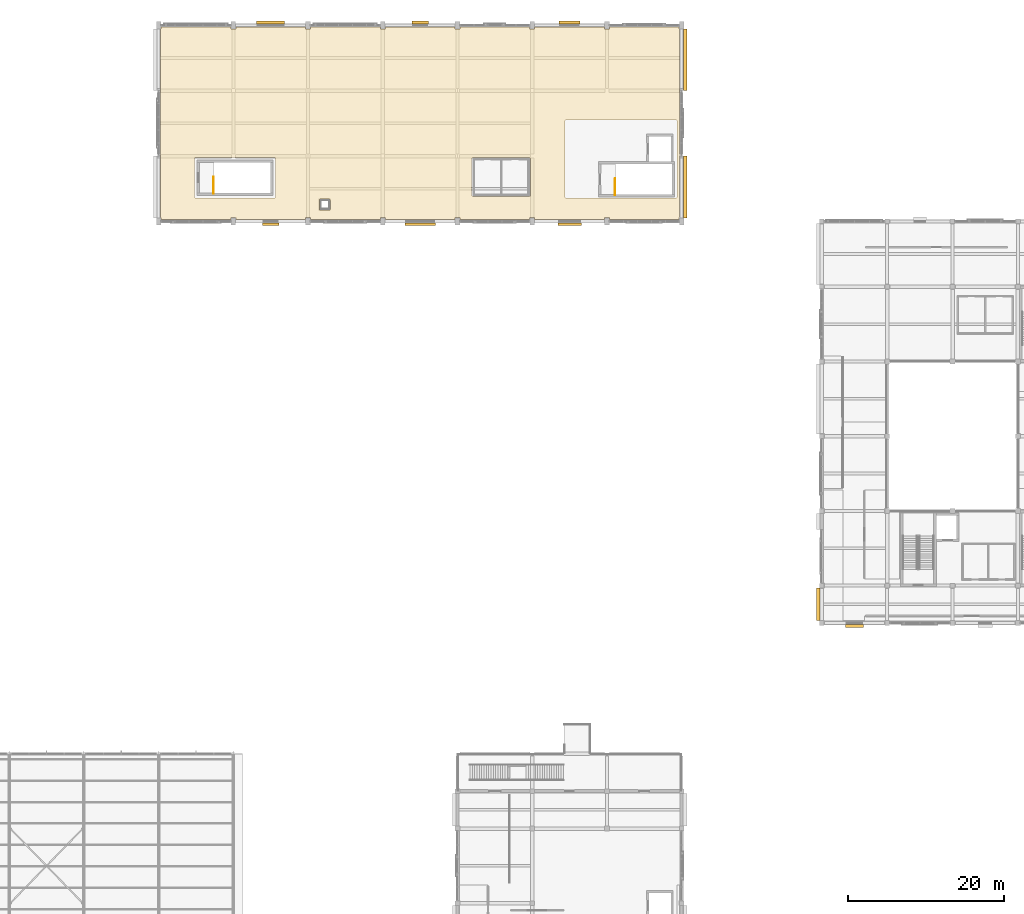
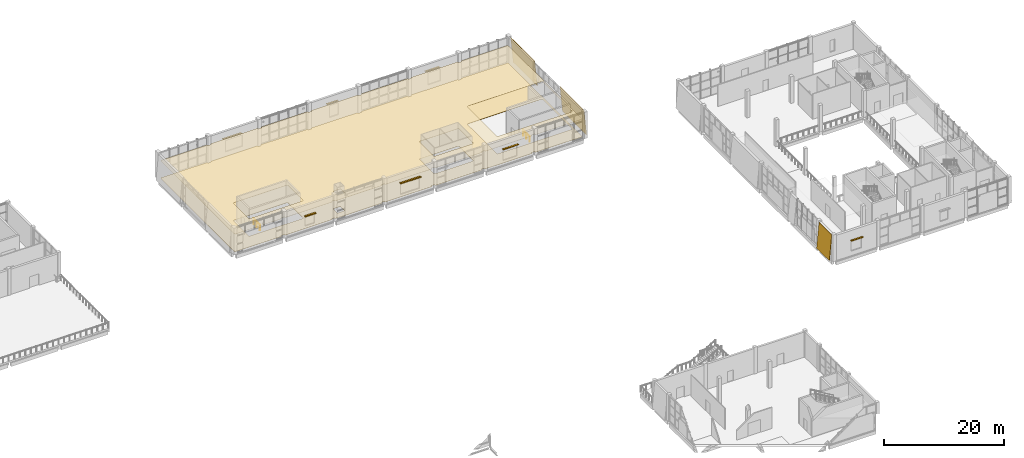
# One storey, part 54 of 57: 7 shading devices, 5 coverings, 2 railings.
"""IFC4 building model written with IfcOpenShell, lengths in metres."""

from ifc_helpers import new_model, si_unit, direction, frame, origin, origin_2d, place, context, subcontext, project, spatial, polyline, rectangle, circle, outline, extrude, material, layer, layer_set, type_object, element, save


model = new_model("IFC4")

# Units and contexts
model_context = context("Model", 3, precision=1e-05, world=origin(), true_north=direction((0.0, 1.0)))
body_context = subcontext(model_context, "Body", "Model", "MODEL_VIEW")
ifc_project = project(units=[si_unit("LENGTHUNIT", "METRE"), si_unit("AREAUNIT", "SQUARE_METRE"), si_unit("VOLUMEUNIT", "CUBIC_METRE"), si_unit("PLANEANGLEUNIT", "RADIAN"), si_unit("MASSUNIT", "GRAM", prefix="KILO")], contexts=[model_context])

# Site, building, storey
site_placement = place(None, origin())
site = spatial("IfcSite", under=ifc_project, at=site_placement, CompositionType="ELEMENT")
building_placement = place(site_placement, origin())
building = spatial("IfcBuilding", under=site, at=building_placement, Name="Shalvenor Court Art Gallery", CompositionType="ELEMENT")
storey_placement = place(building_placement, frame((0.0, 0.0, 16.800048828125)))
storey = spatial("IfcBuildingStorey", under=building, at=storey_placement, Name="L03", CompositionType="ELEMENT", Elevation=16.800048828125)

# Coverings
ifc_material_1 = material(Name="Pale Mediterranean limestone cladding", Category="masonry")
ifc_layer_1 = layer(ifc_material_1, 0.080078125, Name="Pale Mediterranean limestone cladding")
ifc_layer_set_1 = layer_set([ifc_layer_1], Name="Pale Mediterranean limestone cladding")
covering_type_1 = type_object("IfcCoveringType", Name="CLD-01", PredefinedType="CLADDING", material=ifc_layer_set_1)
covering_1_placement = place(storey_placement, frame((142.10595703125, 50.10009765625, 0.0), z_axis=(0.0, 0.0, 1.0), x_axis=(0.0, -1.0, 0.0)))
element("IfcCovering", 1, at=covering_1_placement, inside=storey, type_object=covering_type_1, Name="L03 V1 Tapered Limestone Cladding 17", PredefinedType="CLADDING", context=body_context, shape_type="SweptSolid", body=[
    extrude(outline(polyline([(0.0, 0.0), (4.2001953125, 0.0), (4.2001953125, 5.120849609375), (0.0, 5.120849609375), (0.0, 0.0)])), frame((0.0, 0.0, 0.0), z_axis=(0.0, -0.995884398616, 0.090632580198), x_axis=(1.0, 0.0, 0.0)), (0.0, 0.090632580198, -0.995884398616), 0.080322265625),
])
covering_2_placement = place(storey_placement, frame((125.47412109375, 114.0, 0.0), z_axis=(0.0, 0.0, 1.0), x_axis=(0.0, 1.0, 0.0)))
element("IfcCovering", 2, at=covering_2_placement, inside=storey, type_object=covering_type_1, Name="L03 V2 Tapered Limestone Cladding 37", PredefinedType="CLADDING", context=body_context, shape_type="SweptSolid", body=[
    extrude(outline(polyline([(0.0, 0.0), (7.949951171875, 0.0), (7.949951171875, 5.120849609375), (0.0, 5.120849609375), (0.0, 0.0)])), frame((0.0, 0.0, 0.0), z_axis=(0.0, -0.995884398616, 0.090632580198), x_axis=(1.0, 0.0, 0.0)), (0.0, 0.090632580198, -0.995884398616), 0.080322265625),
])
covering_3_placement = place(storey_placement, frame((125.47412109375, 97.64990234375, 0.0), z_axis=(0.0, 0.0, 1.0), x_axis=(0.0, 1.0, 0.0)))
element("IfcCovering", 3, at=covering_3_placement, inside=storey, type_object=covering_type_1, Name="L03 V2 Tapered Limestone Cladding 38", PredefinedType="CLADDING", context=body_context, shape_type="SweptSolid", body=[
    extrude(outline(polyline([(0.0, 0.0), (7.9501953125, 0.0), (7.9501953125, 5.120849609375), (0.0, 5.120849609375), (0.0, 0.0)])), frame((0.0, 0.0, 0.0), z_axis=(0.0, -0.995884398616, 0.090632580198), x_axis=(1.0, 0.0, 0.0)), (0.0, 0.090632580198, -0.995884398616), 0.080322265625),
])
ifc_material_2 = material(Name="Perforated acoustic gypsum gallery ceiling", Category="other")
ifc_layer_2 = layer(ifc_material_2, 0.044921875, Name="Perforated acoustic gypsum gallery ceiling")
ifc_layer_set_2 = layer_set([ifc_layer_2], Name="Perforated acoustic gypsum gallery ceiling")
covering_type_2 = type_object("IfcCoveringType", Name="CLG-01", PredefinedType="CEILING", material=ifc_layer_set_2)
covering_4_placement = place(storey_placement, frame((0.0, 0.0, 3.550048828125)))
element("IfcCovering", 4, at=covering_4_placement, inside=storey, type_object=covering_type_2, Name="L03 North Light Painting Gallery Acoustic Ceiling", PredefinedType="CEILING", context=body_context, shape_type="SweptSolid", body=[
    extrude(outline(polyline([(66.8798828125, 122.14990234375), (66.8798828125, 121.929931640625), (67.52001953125, 121.929931640625), (67.52001953125, 122.14990234375), (76.47998046875, 122.14990234375), (76.47998046875, 121.929931640625), (77.1201171875, 121.929931640625), (77.1201171875, 122.14990234375), (86.080078125, 122.14990234375), (86.080078125, 121.929931640625), (86.719970703125, 121.929931640625), (86.719970703125, 122.14990234375), (95.679931640625, 122.14990234375), (95.679931640625, 121.929931640625), (96.320068359375, 121.929931640625), (96.320068359375, 122.14990234375), (105.280029296875, 122.14990234375), (105.280029296875, 121.929931640625), (105.919921875, 121.929931640625), (105.919921875, 122.14990234375), (114.8798828125, 122.14990234375), (114.8798828125, 121.929931640625), (115.52001953125, 121.929931640625), (115.52001953125, 122.14990234375), (124.47998046875, 122.14990234375), (124.47998046875, 121.929931640625), (124.550048828125, 121.929931640625), (124.550048828125, 97.669921875), (124.47998046875, 97.669921875), (124.47998046875, 97.449951171875), (115.52001953125, 97.449951171875), (115.52001953125, 97.669921875), (114.8798828125, 97.669921875), (114.8798828125, 97.449951171875), (105.919921875, 97.449951171875), (105.919921875, 97.669921875), (105.280029296875, 97.669921875), (105.280029296875, 97.449951171875), (96.320068359375, 97.449951171875), (96.320068359375, 97.669921875), (95.679931640625, 97.669921875), (95.679931640625, 97.449951171875), (86.719970703125, 97.449951171875), (86.719970703125, 97.669921875), (86.080078125, 97.669921875), (86.080078125, 97.449951171875), (77.1201171875, 97.449951171875), (77.1201171875, 97.669921875), (76.47998046875, 97.669921875), (76.47998046875, 97.449951171875), (67.52001953125, 97.449951171875), (67.52001953125, 97.669921875), (66.8798828125, 97.669921875), (66.8798828125, 97.449951171875), (57.919921875, 97.449951171875), (57.919921875, 97.669921875), (57.85009765625, 97.669921875), (57.85009765625, 121.929931640625), (57.919921875, 121.929931640625), (57.919921875, 122.14990234375), (66.8798828125, 122.14990234375)]), holes=[polyline([(78.39990234375, 98.64990234375), (79.5, 98.64990234375), (79.5146484375, 98.650634765625), (79.529296875, 98.65283203125), (79.54345703125, 98.656494140625), (79.557373046875, 98.661376953125), (79.57080078125, 98.667724609375), (79.583251953125, 98.67529296875), (79.59521484375, 98.68408203125), (79.606201171875, 98.69384765625), (79.615966796875, 98.704833984375), (79.624755859375, 98.716796875), (79.63232421875, 98.729248046875), (79.638671875, 98.74267578125), (79.6435546875, 98.756591796875), (79.647216796875, 98.770751953125), (79.6494140625, 98.785400390625), (79.64990234375, 98.800048828125), (79.64990234375, 99.89990234375), (79.6494140625, 99.914794921875), (79.647216796875, 99.92919921875), (79.6435546875, 99.943603515625), (79.638671875, 99.95751953125), (79.63232421875, 99.970703125), (79.624755859375, 99.9833984375), (79.615966796875, 99.9951171875), (79.606201171875, 100.006103515625), (79.59521484375, 100.01611328125), (79.583251953125, 100.024658203125), (79.57080078125, 100.0322265625), (79.557373046875, 100.03857421875), (79.54345703125, 100.04345703125), (79.529296875, 100.047119140625), (79.5146484375, 100.04931640625), (79.5, 100.050048828125), (78.39990234375, 100.050048828125), (78.38525390625, 100.04931640625), (78.37060546875, 100.047119140625), (78.3564453125, 100.04345703125), (78.342529296875, 100.03857421875), (78.329345703125, 100.0322265625), (78.316650390625, 100.024658203125), (78.3046875, 100.01611328125), (78.2939453125, 100.006103515625), (78.283935546875, 99.9951171875), (78.275390625, 99.9833984375), (78.267578125, 99.970703125), (78.261474609375, 99.95751953125), (78.256591796875, 99.943603515625), (78.2529296875, 99.92919921875), (78.250732421875, 99.914794921875), (78.25, 99.89990234375), (78.25, 98.800048828125), (78.250732421875, 98.785400390625), (78.2529296875, 98.770751953125), (78.256591796875, 98.756591796875), (78.261474609375, 98.74267578125), (78.267578125, 98.729248046875), (78.275390625, 98.716796875), (78.283935546875, 98.704833984375), (78.2939453125, 98.69384765625), (78.3046875, 98.68408203125), (78.316650390625, 98.67529296875), (78.329345703125, 98.667724609375), (78.342529296875, 98.661376953125), (78.3564453125, 98.656494140625), (78.37060546875, 98.65283203125), (78.38525390625, 98.650634765625), (78.39990234375, 98.64990234375)]), polyline([(72.39990234375, 100.179931640625), (72.421630859375, 100.18115234375), (72.44287109375, 100.18408203125), (72.4638671875, 100.189453125), (72.484130859375, 100.19677734375), (72.503662109375, 100.2060546875), (72.522216796875, 100.217041015625), (72.53955078125, 100.22998046875), (72.5556640625, 100.244384765625), (72.570068359375, 100.260498046875), (72.5830078125, 100.27783203125), (72.593994140625, 100.29638671875), (72.603271484375, 100.31591796875), (72.610595703125, 100.336181640625), (72.61572265625, 100.357177734375), (72.618896484375, 100.37841796875), (72.6201171875, 100.39990234375), (72.6201171875, 105.199951171875), (72.618896484375, 105.2216796875), (72.61572265625, 105.242919921875), (72.610595703125, 105.263916015625), (72.603271484375, 105.2841796875), (72.593994140625, 105.3037109375), (72.5830078125, 105.322265625), (72.570068359375, 105.339599609375), (72.5556640625, 105.355712890625), (72.53955078125, 105.3701171875), (72.522216796875, 105.3828125), (72.503662109375, 105.39404296875), (72.484130859375, 105.4033203125), (72.4638671875, 105.410400390625), (72.44287109375, 105.415771484375), (72.421630859375, 105.4189453125), (72.39990234375, 105.419921875), (62.39990234375, 105.419921875), (62.37841796875, 105.4189453125), (62.357177734375, 105.415771484375), (62.336181640625, 105.410400390625), (62.31591796875, 105.4033203125), (62.29638671875, 105.39404296875), (62.27783203125, 105.3828125), (62.260498046875, 105.3701171875), (62.244384765625, 105.355712890625), (62.22998046875, 105.339599609375), (62.217041015625, 105.322265625), (62.2060546875, 105.3037109375), (62.19677734375, 105.2841796875), (62.189453125, 105.263916015625), (62.18408203125, 105.242919921875), (62.18115234375, 105.2216796875), (62.179931640625, 105.199951171875), (62.179931640625, 100.39990234375), (62.18115234375, 100.37841796875), (62.18408203125, 100.357177734375), (62.189453125, 100.336181640625), (62.19677734375, 100.31591796875), (62.2060546875, 100.29638671875), (62.217041015625, 100.27783203125), (62.22998046875, 100.260498046875), (62.244384765625, 100.244384765625), (62.260498046875, 100.22998046875), (62.27783203125, 100.217041015625), (62.29638671875, 100.2060546875), (62.31591796875, 100.19677734375), (62.336181640625, 100.189453125), (62.357177734375, 100.18408203125), (62.37841796875, 100.18115234375), (62.39990234375, 100.179931640625), (72.39990234375, 100.179931640625)]), polyline([(98.0, 100.419921875), (105.199951171875, 100.419921875), (105.217529296875, 100.4208984375), (105.235107421875, 100.423583984375), (105.252197265625, 100.427734375), (105.268798828125, 100.43359375), (105.284912109375, 100.44140625), (105.300048828125, 100.4501953125), (105.314208984375, 100.4609375), (105.327392578125, 100.47265625), (105.339111328125, 100.48583984375), (105.349609375, 100.5), (105.358642578125, 100.51513671875), (105.3662109375, 100.531005859375), (105.372314453125, 100.547607421875), (105.37646484375, 100.56494140625), (105.379150390625, 100.58251953125), (105.3798828125, 100.60009765625), (105.3798828125, 105.199951171875), (105.379150390625, 105.217529296875), (105.37646484375, 105.235107421875), (105.372314453125, 105.252197265625), (105.3662109375, 105.268798828125), (105.358642578125, 105.284912109375), (105.349609375, 105.300048828125), (105.339111328125, 105.314208984375), (105.327392578125, 105.327392578125), (105.314208984375, 105.339111328125), (105.300048828125, 105.349609375), (105.284912109375, 105.358642578125), (105.268798828125, 105.3662109375), (105.252197265625, 105.372314453125), (105.235107421875, 105.37646484375), (105.217529296875, 105.379150390625), (105.199951171875, 105.3798828125), (98.0, 105.3798828125), (97.982421875, 105.379150390625), (97.96484375, 105.37646484375), (97.94775390625, 105.372314453125), (97.93115234375, 105.3662109375), (97.9150390625, 105.358642578125), (97.89990234375, 105.349609375), (97.8857421875, 105.339111328125), (97.872802734375, 105.327392578125), (97.86083984375, 105.314208984375), (97.850341796875, 105.300048828125), (97.84130859375, 105.284912109375), (97.833740234375, 105.268798828125), (97.827880859375, 105.252197265625), (97.823486328125, 105.235107421875), (97.82080078125, 105.217529296875), (97.820068359375, 105.199951171875), (97.820068359375, 100.60009765625), (97.82080078125, 100.58251953125), (97.823486328125, 100.56494140625), (97.827880859375, 100.547607421875), (97.833740234375, 100.531005859375), (97.84130859375, 100.51513671875), (97.850341796875, 100.5), (97.86083984375, 100.48583984375), (97.872802734375, 100.47265625), (97.8857421875, 100.4609375), (97.89990234375, 100.4501953125), (97.9150390625, 100.44140625), (97.93115234375, 100.43359375), (97.94775390625, 100.427734375), (97.96484375, 100.423583984375), (97.982421875, 100.4208984375), (98.0, 100.419921875)]), polyline([(110.0, 100.179931640625), (124.0, 100.179931640625), (124.021484375, 100.18115234375), (124.04296875, 100.18408203125), (124.06396484375, 100.189453125), (124.084228515625, 100.19677734375), (124.103759765625, 100.2060546875), (124.122314453125, 100.217041015625), (124.1396484375, 100.22998046875), (124.155517578125, 100.244384765625), (124.170166015625, 100.260498046875), (124.182861328125, 100.27783203125), (124.194091796875, 100.29638671875), (124.203369140625, 100.31591796875), (124.21044921875, 100.336181640625), (124.2158203125, 100.357177734375), (124.218994140625, 100.37841796875), (124.219970703125, 100.39990234375), (124.219970703125, 110.0), (124.218994140625, 110.021484375), (124.2158203125, 110.04296875), (124.21044921875, 110.06396484375), (124.203369140625, 110.084228515625), (124.194091796875, 110.103759765625), (124.182861328125, 110.122314453125), (124.170166015625, 110.1396484375), (124.155517578125, 110.155517578125), (124.1396484375, 110.170166015625), (124.122314453125, 110.182861328125), (124.103759765625, 110.194091796875), (124.084228515625, 110.203369140625), (124.06396484375, 110.21044921875), (124.04296875, 110.2158203125), (124.021484375, 110.218994140625), (124.0, 110.219970703125), (110.0, 110.219970703125), (109.978515625, 110.218994140625), (109.95703125, 110.2158203125), (109.93603515625, 110.21044921875), (109.915771484375, 110.203369140625), (109.896240234375, 110.194091796875), (109.877685546875, 110.182861328125), (109.8603515625, 110.170166015625), (109.844482421875, 110.155517578125), (109.829833984375, 110.1396484375), (109.817138671875, 110.122314453125), (109.805908203125, 110.103759765625), (109.796630859375, 110.084228515625), (109.78955078125, 110.06396484375), (109.7841796875, 110.04296875), (109.781005859375, 110.021484375), (109.780029296875, 110.0), (109.780029296875, 100.39990234375), (109.781005859375, 100.37841796875), (109.7841796875, 100.357177734375), (109.78955078125, 100.336181640625), (109.796630859375, 100.31591796875), (109.805908203125, 100.29638671875), (109.817138671875, 100.27783203125), (109.829833984375, 100.260498046875), (109.844482421875, 100.244384765625), (109.8603515625, 100.22998046875), (109.877685546875, 100.217041015625), (109.896240234375, 100.2060546875), (109.915771484375, 100.19677734375), (109.93603515625, 100.189453125), (109.95703125, 100.18408203125), (109.978515625, 100.18115234375), (110.0, 100.179931640625)])]), origin(), (0.0, 0.0, 1.0), 0.044921875),
])
ifc_material_3 = material(Name="Quarter-sawn white oak gallery flooring", Category="wood")
ifc_layer_3 = layer(ifc_material_3, 0.031982421875, Name="Quarter-sawn white oak gallery flooring")
ifc_layer_set_3 = layer_set([ifc_layer_3], Name="Quarter-sawn white oak gallery flooring")
covering_type_3 = type_object("IfcCoveringType", Name="FLR-02", PredefinedType="FLOORING", material=ifc_layer_set_3)
covering_5_placement = place(storey_placement, origin())
element("IfcCovering", 5, at=covering_5_placement, inside=storey, type_object=covering_type_3, Name="L03 North Light Painting Gallery Flooring", PredefinedType="FLOORING", context=body_context, shape_type="SweptSolid", body=[
    extrude(outline(polyline([(66.8798828125, 122.14990234375), (66.8798828125, 121.929931640625), (67.52001953125, 121.929931640625), (67.52001953125, 122.14990234375), (76.47998046875, 122.14990234375), (76.47998046875, 121.929931640625), (77.1201171875, 121.929931640625), (77.1201171875, 122.14990234375), (86.080078125, 122.14990234375), (86.080078125, 121.929931640625), (86.719970703125, 121.929931640625), (86.719970703125, 122.14990234375), (95.679931640625, 122.14990234375), (95.679931640625, 121.929931640625), (96.320068359375, 121.929931640625), (96.320068359375, 122.14990234375), (105.280029296875, 122.14990234375), (105.280029296875, 121.929931640625), (105.919921875, 121.929931640625), (105.919921875, 122.14990234375), (114.8798828125, 122.14990234375), (114.8798828125, 121.929931640625), (115.52001953125, 121.929931640625), (115.52001953125, 122.14990234375), (124.47998046875, 122.14990234375), (124.47998046875, 121.929931640625), (124.550048828125, 121.929931640625), (124.550048828125, 97.669921875), (124.47998046875, 97.669921875), (124.47998046875, 97.449951171875), (115.52001953125, 97.449951171875), (115.52001953125, 97.669921875), (114.8798828125, 97.669921875), (114.8798828125, 97.449951171875), (105.919921875, 97.449951171875), (105.919921875, 97.669921875), (105.280029296875, 97.669921875), (105.280029296875, 97.449951171875), (96.320068359375, 97.449951171875), (96.320068359375, 97.669921875), (95.679931640625, 97.669921875), (95.679931640625, 97.449951171875), (86.719970703125, 97.449951171875), (86.719970703125, 97.669921875), (86.080078125, 97.669921875), (86.080078125, 97.449951171875), (77.1201171875, 97.449951171875), (77.1201171875, 97.669921875), (76.47998046875, 97.669921875), (76.47998046875, 97.449951171875), (67.52001953125, 97.449951171875), (67.52001953125, 97.669921875), (66.8798828125, 97.669921875), (66.8798828125, 97.449951171875), (57.919921875, 97.449951171875), (57.919921875, 97.669921875), (57.85009765625, 97.669921875), (57.85009765625, 121.929931640625), (57.919921875, 121.929931640625), (57.919921875, 122.14990234375), (66.8798828125, 122.14990234375)]), holes=[polyline([(78.39990234375, 98.64990234375), (79.5, 98.64990234375), (79.5146484375, 98.650634765625), (79.529296875, 98.65283203125), (79.54345703125, 98.656494140625), (79.557373046875, 98.661376953125), (79.57080078125, 98.667724609375), (79.583251953125, 98.67529296875), (79.59521484375, 98.68408203125), (79.606201171875, 98.69384765625), (79.615966796875, 98.704833984375), (79.624755859375, 98.716796875), (79.63232421875, 98.729248046875), (79.638671875, 98.74267578125), (79.6435546875, 98.756591796875), (79.647216796875, 98.770751953125), (79.6494140625, 98.785400390625), (79.64990234375, 98.800048828125), (79.64990234375, 99.89990234375), (79.6494140625, 99.914794921875), (79.647216796875, 99.92919921875), (79.6435546875, 99.943603515625), (79.638671875, 99.95751953125), (79.63232421875, 99.970703125), (79.624755859375, 99.9833984375), (79.615966796875, 99.9951171875), (79.606201171875, 100.006103515625), (79.59521484375, 100.01611328125), (79.583251953125, 100.024658203125), (79.57080078125, 100.0322265625), (79.557373046875, 100.03857421875), (79.54345703125, 100.04345703125), (79.529296875, 100.047119140625), (79.5146484375, 100.04931640625), (79.5, 100.050048828125), (78.39990234375, 100.050048828125), (78.38525390625, 100.04931640625), (78.37060546875, 100.047119140625), (78.3564453125, 100.04345703125), (78.342529296875, 100.03857421875), (78.329345703125, 100.0322265625), (78.316650390625, 100.024658203125), (78.3046875, 100.01611328125), (78.2939453125, 100.006103515625), (78.283935546875, 99.9951171875), (78.275390625, 99.9833984375), (78.267578125, 99.970703125), (78.261474609375, 99.95751953125), (78.256591796875, 99.943603515625), (78.2529296875, 99.92919921875), (78.250732421875, 99.914794921875), (78.25, 99.89990234375), (78.25, 98.800048828125), (78.250732421875, 98.785400390625), (78.2529296875, 98.770751953125), (78.256591796875, 98.756591796875), (78.261474609375, 98.74267578125), (78.267578125, 98.729248046875), (78.275390625, 98.716796875), (78.283935546875, 98.704833984375), (78.2939453125, 98.69384765625), (78.3046875, 98.68408203125), (78.316650390625, 98.67529296875), (78.329345703125, 98.667724609375), (78.342529296875, 98.661376953125), (78.3564453125, 98.656494140625), (78.37060546875, 98.65283203125), (78.38525390625, 98.650634765625), (78.39990234375, 98.64990234375)]), polyline([(72.39990234375, 100.179931640625), (72.421630859375, 100.18115234375), (72.44287109375, 100.18408203125), (72.4638671875, 100.189453125), (72.484130859375, 100.19677734375), (72.503662109375, 100.2060546875), (72.522216796875, 100.217041015625), (72.53955078125, 100.22998046875), (72.5556640625, 100.244384765625), (72.570068359375, 100.260498046875), (72.5830078125, 100.27783203125), (72.593994140625, 100.29638671875), (72.603271484375, 100.31591796875), (72.610595703125, 100.336181640625), (72.61572265625, 100.357177734375), (72.618896484375, 100.37841796875), (72.6201171875, 100.39990234375), (72.6201171875, 105.199951171875), (72.618896484375, 105.2216796875), (72.61572265625, 105.242919921875), (72.610595703125, 105.263916015625), (72.603271484375, 105.2841796875), (72.593994140625, 105.3037109375), (72.5830078125, 105.322265625), (72.570068359375, 105.339599609375), (72.5556640625, 105.355712890625), (72.53955078125, 105.3701171875), (72.522216796875, 105.3828125), (72.503662109375, 105.39404296875), (72.484130859375, 105.4033203125), (72.4638671875, 105.410400390625), (72.44287109375, 105.415771484375), (72.421630859375, 105.4189453125), (72.39990234375, 105.419921875), (62.39990234375, 105.419921875), (62.37841796875, 105.4189453125), (62.357177734375, 105.415771484375), (62.336181640625, 105.410400390625), (62.31591796875, 105.4033203125), (62.29638671875, 105.39404296875), (62.27783203125, 105.3828125), (62.260498046875, 105.3701171875), (62.244384765625, 105.355712890625), (62.22998046875, 105.339599609375), (62.217041015625, 105.322265625), (62.2060546875, 105.3037109375), (62.19677734375, 105.2841796875), (62.189453125, 105.263916015625), (62.18408203125, 105.242919921875), (62.18115234375, 105.2216796875), (62.179931640625, 105.199951171875), (62.179931640625, 100.39990234375), (62.18115234375, 100.37841796875), (62.18408203125, 100.357177734375), (62.189453125, 100.336181640625), (62.19677734375, 100.31591796875), (62.2060546875, 100.29638671875), (62.217041015625, 100.27783203125), (62.22998046875, 100.260498046875), (62.244384765625, 100.244384765625), (62.260498046875, 100.22998046875), (62.27783203125, 100.217041015625), (62.29638671875, 100.2060546875), (62.31591796875, 100.19677734375), (62.336181640625, 100.189453125), (62.357177734375, 100.18408203125), (62.37841796875, 100.18115234375), (62.39990234375, 100.179931640625), (72.39990234375, 100.179931640625)]), polyline([(98.0, 100.419921875), (105.199951171875, 100.419921875), (105.217529296875, 100.4208984375), (105.235107421875, 100.423583984375), (105.252197265625, 100.427734375), (105.268798828125, 100.43359375), (105.284912109375, 100.44140625), (105.300048828125, 100.4501953125), (105.314208984375, 100.4609375), (105.327392578125, 100.47265625), (105.339111328125, 100.48583984375), (105.349609375, 100.5), (105.358642578125, 100.51513671875), (105.3662109375, 100.531005859375), (105.372314453125, 100.547607421875), (105.37646484375, 100.56494140625), (105.379150390625, 100.58251953125), (105.3798828125, 100.60009765625), (105.3798828125, 105.199951171875), (105.379150390625, 105.217529296875), (105.37646484375, 105.235107421875), (105.372314453125, 105.252197265625), (105.3662109375, 105.268798828125), (105.358642578125, 105.284912109375), (105.349609375, 105.300048828125), (105.339111328125, 105.314208984375), (105.327392578125, 105.327392578125), (105.314208984375, 105.339111328125), (105.300048828125, 105.349609375), (105.284912109375, 105.358642578125), (105.268798828125, 105.3662109375), (105.252197265625, 105.372314453125), (105.235107421875, 105.37646484375), (105.217529296875, 105.379150390625), (105.199951171875, 105.3798828125), (98.0, 105.3798828125), (97.982421875, 105.379150390625), (97.96484375, 105.37646484375), (97.94775390625, 105.372314453125), (97.93115234375, 105.3662109375), (97.9150390625, 105.358642578125), (97.89990234375, 105.349609375), (97.8857421875, 105.339111328125), (97.872802734375, 105.327392578125), (97.86083984375, 105.314208984375), (97.850341796875, 105.300048828125), (97.84130859375, 105.284912109375), (97.833740234375, 105.268798828125), (97.827880859375, 105.252197265625), (97.823486328125, 105.235107421875), (97.82080078125, 105.217529296875), (97.820068359375, 105.199951171875), (97.820068359375, 100.60009765625), (97.82080078125, 100.58251953125), (97.823486328125, 100.56494140625), (97.827880859375, 100.547607421875), (97.833740234375, 100.531005859375), (97.84130859375, 100.51513671875), (97.850341796875, 100.5), (97.86083984375, 100.48583984375), (97.872802734375, 100.47265625), (97.8857421875, 100.4609375), (97.89990234375, 100.4501953125), (97.9150390625, 100.44140625), (97.93115234375, 100.43359375), (97.94775390625, 100.427734375), (97.96484375, 100.423583984375), (97.982421875, 100.4208984375), (98.0, 100.419921875)]), polyline([(110.0, 100.179931640625), (124.0, 100.179931640625), (124.021484375, 100.18115234375), (124.04296875, 100.18408203125), (124.06396484375, 100.189453125), (124.084228515625, 100.19677734375), (124.103759765625, 100.2060546875), (124.122314453125, 100.217041015625), (124.1396484375, 100.22998046875), (124.155517578125, 100.244384765625), (124.170166015625, 100.260498046875), (124.182861328125, 100.27783203125), (124.194091796875, 100.29638671875), (124.203369140625, 100.31591796875), (124.21044921875, 100.336181640625), (124.2158203125, 100.357177734375), (124.218994140625, 100.37841796875), (124.219970703125, 100.39990234375), (124.219970703125, 110.0), (124.218994140625, 110.021484375), (124.2158203125, 110.04296875), (124.21044921875, 110.06396484375), (124.203369140625, 110.084228515625), (124.194091796875, 110.103759765625), (124.182861328125, 110.122314453125), (124.170166015625, 110.1396484375), (124.155517578125, 110.155517578125), (124.1396484375, 110.170166015625), (124.122314453125, 110.182861328125), (124.103759765625, 110.194091796875), (124.084228515625, 110.203369140625), (124.06396484375, 110.21044921875), (124.04296875, 110.2158203125), (124.021484375, 110.218994140625), (124.0, 110.219970703125), (110.0, 110.219970703125), (109.978515625, 110.218994140625), (109.95703125, 110.2158203125), (109.93603515625, 110.21044921875), (109.915771484375, 110.203369140625), (109.896240234375, 110.194091796875), (109.877685546875, 110.182861328125), (109.8603515625, 110.170166015625), (109.844482421875, 110.155517578125), (109.829833984375, 110.1396484375), (109.817138671875, 110.122314453125), (109.805908203125, 110.103759765625), (109.796630859375, 110.084228515625), (109.78955078125, 110.06396484375), (109.7841796875, 110.04296875), (109.781005859375, 110.021484375), (109.780029296875, 110.0), (109.780029296875, 100.39990234375), (109.781005859375, 100.37841796875), (109.7841796875, 100.357177734375), (109.78955078125, 100.336181640625), (109.796630859375, 100.31591796875), (109.805908203125, 100.29638671875), (109.817138671875, 100.27783203125), (109.829833984375, 100.260498046875), (109.844482421875, 100.244384765625), (109.8603515625, 100.22998046875), (109.877685546875, 100.217041015625), (109.896240234375, 100.2060546875), (109.915771484375, 100.19677734375), (109.93603515625, 100.189453125), (109.95703125, 100.18408203125), (109.978515625, 100.18115234375), (110.0, 100.179931640625)])]), origin(), (0.0, 0.0, 1.0), 0.031982421875),
])

# Railings
ifc_material_4 = material(Name="Painted steel post-and-rail guard", Category="steel")
railing_type = type_object("IfcRailingType", Name="GR-02", PredefinedType="GUARDRAIL", material=ifc_material_4)
for number, where, name in (
    (6, (116.25, 100.60009765625, 0.0), "L03 ST-05 Top Well Guard 1"),
    (7, (64.64990234375, 100.800048828125, 0.0), "L03 ST-09 Top Well Guard 1"),
):
    element("IfcRailing", number, at=place(storey_placement, frame(where)), inside=storey, type_object=railing_type, Name=name, PredefinedType="GUARDRAIL", context=body_context, shape_type="SweptSolid", body=[
        extrude(circle(Radius=0.02392578125, at=origin_2d()), frame((0.0, 0.0, 1.09619140625), z_axis=(0.0, 1.0, 0.0), x_axis=(-1.0, 0.0, 0.0)), (0.0, 0.0, 1.0), 2.099853515625),
        extrude(circle(Radius=0.02099609375, at=origin_2d()), origin(), (0.0, 0.0, 1.0), 1.072021484375),
        extrude(circle(Radius=0.02099609375, at=origin_2d()), frame((0.0, 1.0498046875, 0.0)), (0.0, 0.0, 1.0), 1.072021484375),
        extrude(circle(Radius=0.02099609375, at=origin_2d()), frame((0.0, 2.099853515625, 0.0)), (0.0, 0.0, 1.0), 1.072021484375),
    ])

# Shading devices
ifc_material_5 = material(Name="Dark anodised bronze aluminium louvre", Category="aluminium")
shading_device_type = type_object("IfcShadingDeviceType", Name="SHD-01", PredefinedType="JALOUSIE", material=ifc_material_5)
shading_device_1_placement = place(storey_placement, frame((147.0, 45.2099609375, 3.14990234375), z_axis=(0.0, 0.0, 1.0), x_axis=(-1.0, 0.0, 0.0)))
element("IfcShadingDevice", 8, at=shading_device_1_placement, inside=storey, type_object=shading_device_type, Name="L03 Koushi Window Sunshade 16", PredefinedType="JALOUSIE", context=body_context, shape_type="SweptSolid", body=[
    extrude(rectangle(XDim=2.300048828125, YDim=0.360107421875, at=origin_2d()), origin(), (0.0, 0.0, 1.0), 0.080078125),
])
shading_device_2_placement = place(storey_placement, frame((72.0, 122.77001953125, 3.199951171875), z_axis=(0.0, 0.0, 1.0), x_axis=(1.0, 0.0, 0.0)))
element("IfcShadingDevice", 9, at=shading_device_2_placement, inside=storey, type_object=shading_device_type, Name="L03 Koushi Window Sunshade 44", PredefinedType="JALOUSIE", context=body_context, shape_type="SweptSolid", body=[
    extrude(rectangle(XDim=3.60009765625, YDim=0.360107421875, at=origin_2d()), origin(), (0.0, 0.0, 1.0), 0.080078125),
])
shading_device_3_placement = place(storey_placement, frame((91.199951171875, 122.77001953125, 3.2998046875), z_axis=(0.0, 0.0, 1.0), x_axis=(1.0, 0.0, 0.0)))
element("IfcShadingDevice", 10, at=shading_device_3_placement, inside=storey, type_object=shading_device_type, Name="L03 Koushi Window Sunshade 45", PredefinedType="JALOUSIE", context=body_context, shape_type="SweptSolid", body=[
    extrude(rectangle(XDim=2.10009765625, YDim=0.360107421875, at=origin_2d()), origin(), (0.0, 0.0, 1.0), 0.080078125),
])
shading_device_4_placement = place(storey_placement, frame((110.39990234375, 122.77001953125, 3.2998046875), z_axis=(0.0, 0.0, 1.0), x_axis=(1.0, 0.0, 0.0)))
element("IfcShadingDevice", 11, at=shading_device_4_placement, inside=storey, type_object=shading_device_type, Name="L03 Koushi Window Sunshade 46", PredefinedType="JALOUSIE", context=body_context, shape_type="SweptSolid", body=[
    extrude(rectangle(XDim=2.699951171875, YDim=0.360107421875, at=origin_2d()), origin(), (0.0, 0.0, 1.0), 0.080078125),
])
shading_device_5_placement = place(storey_placement, frame((110.39990234375, 96.830078125, 3.2998046875), z_axis=(0.0, 0.0, 1.0), x_axis=(-1.0, 0.0, 0.0)))
element("IfcShadingDevice", 12, at=shading_device_5_placement, inside=storey, type_object=shading_device_type, Name="L03 Koushi Window Sunshade 47", PredefinedType="JALOUSIE", context=body_context, shape_type="SweptSolid", body=[
    extrude(rectangle(XDim=3.0, YDim=0.360107421875, at=origin_2d()), origin(), (0.0, 0.0, 1.0), 0.080078125),
])
shading_device_6_placement = place(storey_placement, frame((91.199951171875, 96.830078125, 3.2998046875), z_axis=(0.0, 0.0, 1.0), x_axis=(-1.0, 0.0, 0.0)))
element("IfcShadingDevice", 13, at=shading_device_6_placement, inside=storey, type_object=shading_device_type, Name="L03 Koushi Window Sunshade 48", PredefinedType="JALOUSIE", context=body_context, shape_type="SweptSolid", body=[
    extrude(rectangle(XDim=3.89990234375, YDim=0.360107421875, at=origin_2d()), origin(), (0.0, 0.0, 1.0), 0.080078125),
])
shading_device_7_placement = place(storey_placement, frame((72.0, 96.830078125, 3.0), z_axis=(0.0, 0.0, 1.0), x_axis=(-1.0, 0.0, 0.0)))
element("IfcShadingDevice", 14, at=shading_device_7_placement, inside=storey, type_object=shading_device_type, Name="L03 Koushi Window Sunshade 49", PredefinedType="JALOUSIE", context=body_context, shape_type="SweptSolid", body=[
    extrude(rectangle(XDim=2.10009765625, YDim=0.360107421875, at=origin_2d()), origin(), (0.0, 0.0, 1.0), 0.080078125),
])

save(model, "model.ifc")
